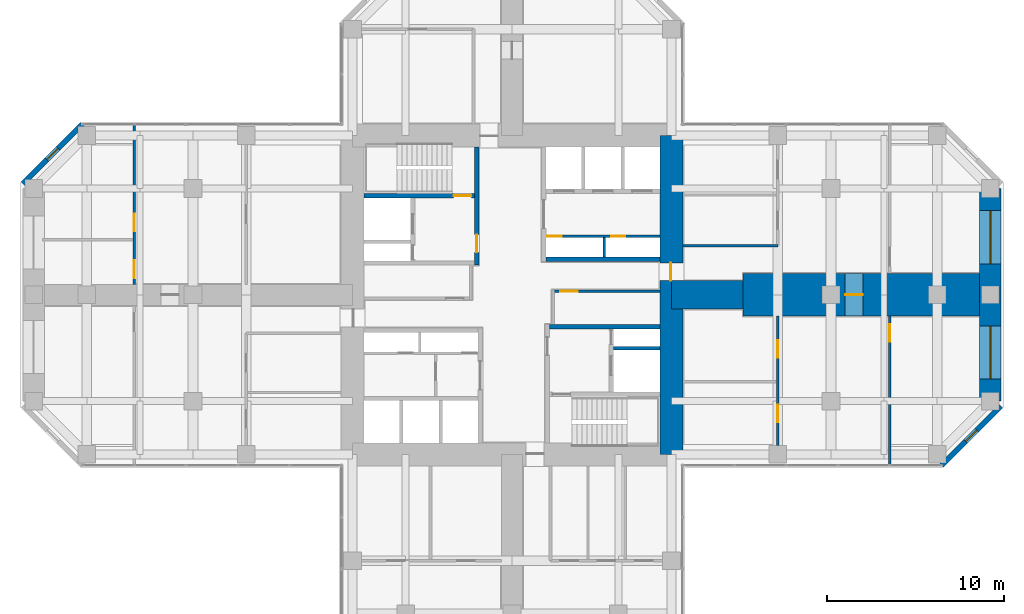
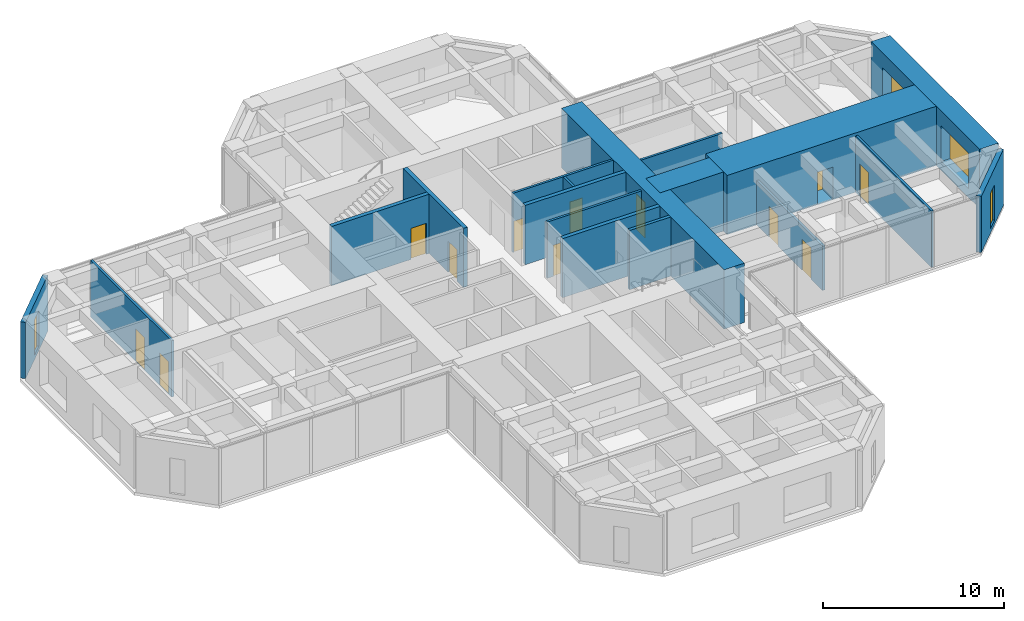
# One storey, part 10 of 13: 18 walls, 12 doors, 4 windows, 16 openings.
"""IFC4 building model written with IfcOpenShell, lengths in metres."""

from ifc_helpers import new_model, si_unit, direction, frame, frame_2d, origin, place, context, subcontext, project, spatial, rectangle, hollow_rectangle, extrude, material, layer, layer_set, constituent, constituent_set, type_object, element, fill, save


model = new_model("IFC4")

# Units and contexts
model_context = context("Model", 3, precision=1e-05, world=origin(), true_north=direction((0.0, 1.0)))
body_context = subcontext(model_context, "Body", "Model", "MODEL_VIEW")
ifc_project = project(units=[si_unit("LENGTHUNIT", "METRE"), si_unit("AREAUNIT", "SQUARE_METRE"), si_unit("VOLUMEUNIT", "CUBIC_METRE"), si_unit("PLANEANGLEUNIT", "RADIAN"), si_unit("MASSUNIT", "GRAM", prefix="KILO")], contexts=[model_context])

# Site, building, storey
site_placement = place(None, origin())
site = spatial("IfcSite", under=ifc_project, at=site_placement, CompositionType="ELEMENT")
building_placement = place(site_placement, origin())
building = spatial("IfcBuilding", under=site, at=building_placement, Name="Torre Cruceta", CompositionType="ELEMENT")
storey_placement = place(building_placement, frame((0.0, 0.0, 156.5)))
storey = spatial("IfcBuildingStorey", under=building, at=storey_placement, Name="L38", CompositionType="ELEMENT", Elevation=156.5)

# Wall
ifc_material_1 = material(Name="Concrete G60 (fck 60 MPa)", Category="concrete")
ifc_layer_1 = layer(ifc_material_1, 0.25)
ifc_layer_set_1 = layer_set([ifc_layer_1], Name="Concrete G60 (fck 60 MPa)")
wall_type_1 = type_object("IfcWallType", Name="CORE INNER WALL 250 G60", PredefinedType="SHEAR", material=ifc_layer_set_1)
wall_1_placement = place(storey_placement, frame((1.925048828125, 2.0, 0.0), z_axis=(0.0, 0.0, 1.0), x_axis=(1.0, 0.0, 0.0)))
element("IfcWall", 1, at=wall_1_placement, inside=storey, type_object=wall_type_1, Name="CW4 L38 NE-CV", PredefinedType="SHEAR", context=body_context, shape_type="SweptSolid", body=[
    extrude(rectangle(XDim=6.425048828125, YDim=0.25, at=frame_2d((3.21240234375, 0.0))), origin(), (0.0, 0.0, 1.0), 4.0),
])

# Wall, opening, door
wall_2_placement = place(storey_placement, frame((-2.0, 1.675048828125, 0.0), z_axis=(0.0, 0.0, 1.0), x_axis=(0.0, 1.0, 0.0)))
wall_2 = element("IfcWall", 2, at=wall_2_placement, inside=storey, type_object=wall_type_1, Name="CW4 L38 NW-CU", PredefinedType="SHEAR", context=body_context, shape_type="SweptSolid", body=[
    extrude(rectangle(XDim=6.675048828125, YDim=0.25, at=frame_2d((3.33740234375, 0.0))), origin(), (0.0, 0.0, 1.0), 4.0),
])
opening_1_placement = place(wall_2_placement, frame((0.72509765625, 0.0, 0.0)))
opening_1 = element("IfcOpeningElement", 3, at=opening_1_placement, cuts=wall_2, Name="Opening D3", PredefinedType="OPENING", context=body_context, shape_type="SweptSolid", body=[
    extrude(rectangle(XDim=1.0, YDim=2.10009765625, at=frame_2d((0.5, 1.050048828125))), frame((0.0, 0.135009765625, 0.0), z_axis=(0.0, -1.0, 0.0), x_axis=(1.0, 0.0, 0.0)), (0.0, 0.0, 1.0), 0.27001953125),
])
ifc_material_2 = material(Name="Steel DX51D", Category="steel")
ifc_constituent_1 = constituent(ifc_material_2, Name="Leaf and frame")
ifc_material_3 = material(Name="Polyester powder coating", Category="paint")
ifc_constituent_2 = constituent(ifc_material_3, Name="Finish")
ifc_constituent_set_1 = constituent_set(constituents=[ifc_constituent_1, ifc_constituent_2], Name="Steel fire door")
door_type_1 = type_object("IfcDoorType", Name="FIRE DOOR 1000X2100", OperationType="SINGLE_SWING_LEFT", PredefinedType="DOOR", material=ifc_constituent_set_1)
door_1_placement = place(opening_1_placement, origin())
door_1 = element("IfcDoor", 4, at=door_1_placement, inside=storey, type_object=door_type_1, Name="D3 L38 NW-LOBBY", OperationType="SINGLE_SWING_LEFT", OverallHeight=2.10009765625, OverallWidth=1.0, PredefinedType="DOOR", context=body_context, shape_type="SweptSolid", body=[
    extrude(rectangle(XDim=1.0, YDim=2.10009765625, at=frame_2d((0.5, 1.050048828125))), frame((0.0, 0.02490234375, 0.0), z_axis=(0.0, -1.0, 0.0), x_axis=(1.0, 0.0, 0.0)), (0.0, 0.0, 1.0), 0.050048828125),
])
fill(opening_1, door_1)

wall_3_placement = place(storey_placement, frame((-2.125, 5.60009765625, 0.0), z_axis=(0.0, 0.0, 1.0), x_axis=(-1.0, 0.0, 0.0)))
wall_3 = element("IfcWall", 5, at=wall_3_placement, inside=storey, type_object=wall_type_1, Name="CW4 L38 NW-SV", PredefinedType="SHEAR", context=body_context, shape_type="SweptSolid", body=[
    extrude(rectangle(XDim=6.22509765625, YDim=0.25, at=frame_2d((3.112548828125, 0.0))), origin(), (0.0, 0.0, 1.0), 4.0),
])
opening_2_placement = place(wall_3_placement, frame((0.175048828125, 0.0, 0.0)))
opening_2 = element("IfcOpeningElement", 6, at=opening_2_placement, cuts=wall_3, Name="Opening D3", PredefinedType="OPENING", context=body_context, shape_type="SweptSolid", body=[
    extrude(rectangle(XDim=1.0, YDim=2.10009765625, at=frame_2d((0.5, 1.050048828125))), frame((0.0, 0.135009765625, 0.0), z_axis=(0.0, -1.0, 0.0), x_axis=(1.0, 0.0, 0.0)), (0.0, 0.0, 1.0), 0.27001953125),
])
door_2_placement = place(opening_2_placement, frame((1.0, 0.0, 0.0), z_axis=(0.0, 0.0, 1.0), x_axis=(-1.0, 0.0, 0.0)))
door_2 = element("IfcDoor", 7, at=door_2_placement, inside=storey, type_object=door_type_1, Name="D3 L38 NW-STAIR", OperationType="SINGLE_SWING_RIGHT", OverallHeight=2.10009765625, OverallWidth=1.0, PredefinedType="DOOR", context=body_context, shape_type="SweptSolid", body=[
    extrude(rectangle(XDim=1.0, YDim=2.10009765625, at=frame_2d((0.5, 1.050048828125))), frame((0.0, 0.025146484375, 0.0), z_axis=(0.0, -1.0, 0.0), x_axis=(1.0, 0.0, 0.0)), (0.0, 0.0, 1.0), 0.050048828125),
])
fill(opening_2, door_2)

# Wall
wall_4_placement = place(storey_placement, frame((2.125, -1.800048828125, 0.0), z_axis=(0.0, 0.0, 1.0), x_axis=(1.0, 0.0, 0.0)))
element("IfcWall", 8, at=wall_4_placement, inside=storey, type_object=wall_type_1, Name="CW4 L38 SE-CV", PredefinedType="SHEAR", context=body_context, shape_type="SweptSolid", body=[
    extrude(rectangle(XDim=6.22509765625, YDim=0.25, at=frame_2d((3.112548828125, 0.0))), origin(), (0.0, 0.0, 1.0), 4.0),
])

# Wall, opening, door
ifc_material_4 = material(Name="Concrete G60 (fck 60 MPa)", Category="concrete")
ifc_layer_2 = layer(ifc_material_4, 1.300048828125)
ifc_layer_set_2 = layer_set([ifc_layer_2], Name="Concrete G60 (fck 60 MPa)")
wall_type_2 = type_object("IfcWallType", Name="CORE WALL 1300 G60", PredefinedType="SHEAR", material=ifc_layer_set_2)
wall_5_placement = place(storey_placement, frame((9.0, -9.0, 0.0), z_axis=(0.0, 0.0, 1.0), x_axis=(0.0, 1.0, 0.0)))
wall_5 = element("IfcWall", 9, at=wall_5_placement, inside=storey, type_object=wall_type_2, Name="CW1 L38 CW-E", PredefinedType="SHEAR", context=body_context, shape_type="SweptSolid", body=[
    extrude(rectangle(XDim=18.0, YDim=1.300048828125, at=frame_2d((9.0, 0.0))), origin(), (0.0, 0.0, 1.0), 4.0),
])
opening_3_placement = place(wall_5_placement, frame((9.800048828125, 0.0, 0.0)))
opening_3 = element("IfcOpeningElement", 10, at=opening_3_placement, cuts=wall_5, Name="Opening D4", PredefinedType="OPENING", context=body_context, shape_type="SweptSolid", body=[
    extrude(rectangle(XDim=1.0, YDim=2.39990234375, at=frame_2d((0.5, 1.199951171875))), frame((0.0, 0.659912109375, 0.0), z_axis=(0.0, -1.0, 0.0), x_axis=(1.0, 0.0, 0.0)), (0.0, 0.0, 1.0), 1.320068359375),
])
ifc_material_5 = material(Name="Steel DX51D", Category="steel")
ifc_constituent_3 = constituent(ifc_material_5, Name="Leaf and frame")
ifc_material_6 = material(Name="Polyester powder coating", Category="paint")
ifc_constituent_4 = constituent(ifc_material_6, Name="Finish")
ifc_constituent_set_2 = constituent_set(constituents=[ifc_constituent_3, ifc_constituent_4], Name="Steel fire door")
door_type_2 = type_object("IfcDoorType", Name="CORE ARM DOOR 1000X2400", OperationType="SINGLE_SWING_RIGHT", PredefinedType="DOOR", material=ifc_constituent_set_2)
door_3_placement = place(opening_3_placement, frame((1.0, 0.0, 0.0), z_axis=(0.0, 0.0, 1.0), x_axis=(-1.0, 0.0, 0.0)))
door_3 = element("IfcDoor", 11, at=door_3_placement, inside=storey, type_object=door_type_2, Name="D4 L38 CW-E", OperationType="SINGLE_SWING_RIGHT", OverallHeight=2.39990234375, OverallWidth=1.0, PredefinedType="DOOR", context=body_context, shape_type="SweptSolid", body=[
    extrude(rectangle(XDim=1.0, YDim=2.39990234375, at=frame_2d((0.5, 1.199951171875))), frame((0.0, -0.005126953125, 0.0), z_axis=(0.0, -1.0, 0.0), x_axis=(1.0, 0.0, 0.0)), (0.0, 0.0, 1.0), 0.050048828125),
])
fill(opening_3, door_3)

# Wall, opening, window
ifc_material_7 = material(Name="Concrete G30 (fck 30 MPa)", Category="concrete")
ifc_layer_3 = layer(ifc_material_7, 0.300048828125)
ifc_layer_set_3 = layer_set([ifc_layer_3], Name="Concrete G30 (fck 30 MPa)")
wall_type_3 = type_object("IfcWallType", Name="EXPOSED CONCRETE FACADE WALL 300", PredefinedType="SOLIDWALL", material=ifc_layer_set_3)
wall_6_placement = place(storey_placement, frame((24.2568359375, -9.6201171875, 0.0), z_axis=(0.0, 0.0, 1.0), x_axis=(0.707106781187, 0.707106781187, 0.0)))
wall_6 = element("IfcWall", 12, at=wall_6_placement, inside=storey, type_object=wall_type_3, Name="EW1 facade wall L38 E chamfer 01", PredefinedType="SOLIDWALL", context=body_context, shape_type="SweptSolid", body=[
    extrude(rectangle(XDim=4.72802734375, YDim=0.300048828125, at=frame_2d((2.364013671875, 0.0))), origin(), (0.0, 0.0, 1.0), 3.800048828125),
])
opening_4_placement = place(wall_6_placement, frame((1.9140625, 0.0, 0.300048828125)))
opening_4 = element("IfcOpeningElement", 13, at=opening_4_placement, cuts=wall_6, Name="Opening WN5", PredefinedType="OPENING", context=body_context, shape_type="SweptSolid", body=[
    extrude(rectangle(XDim=0.89990234375, YDim=2.39990234375, at=frame_2d((0.449951171875, 1.199951171875))), frame((0.0, 0.159912109375, 0.0), z_axis=(0.0, -1.0, 0.0), x_axis=(1.0, 0.0, 0.0)), (0.0, 0.0, 1.0), 0.320068359375),
])
ifc_material_8 = material(Name="Aluminium window frame", Category="aluminium")
ifc_constituent_5 = constituent(ifc_material_8, Name="Frame")
ifc_material_9 = material(Name="Laminated insulating glass unit, low-iron clear", Category="glass")
ifc_constituent_6 = constituent(ifc_material_9, Name="Glazing")
ifc_constituent_set_3 = constituent_set(constituents=[ifc_constituent_5, ifc_constituent_6], Name="Aluminium window")
window_type_1 = type_object("IfcWindowType", Name="CHAMFER SLOT WINDOW 900X2400", PartitioningType="SINGLE_PANEL", PredefinedType="WINDOW", material=ifc_constituent_set_3)
window_1_placement = place(opening_4_placement, origin())
window_1 = element("IfcWindow", 14, at=window_1_placement, inside=storey, type_object=window_type_1, Name="WN5 L38 E 1", OverallHeight=2.39990234375, OverallWidth=0.89990234375, PartitioningType="SINGLE_PANEL", PredefinedType="WINDOW", context=body_context, shape_type="SweptSolid", body=[
    extrude(hollow_rectangle(XDim=0.89990234375, YDim=2.39990234375, WallThickness=0.06005859375, at=frame_2d((0.449951171875, 1.199951171875))), frame((0.0, 0.030029296875, 0.0), z_axis=(0.0, -1.0, 0.0), x_axis=(1.0, 0.0, 0.0)), (0.0, 0.0, 1.0), 0.06005859375),
    extrude(rectangle(XDim=0.77880859375, YDim=2.27880859375, at=frame_2d((0.449951171875, 1.199951171875))), frame((0.0, 0.030029296875, 0.0), z_axis=(0.0, -1.0, 0.0), x_axis=(1.0, 0.0, 0.0)), (0.0, 0.0, 1.0), 0.06005859375),
])
fill(opening_4, window_1)

wall_7_placement = place(storey_placement, frame((-24.2568359375, 9.6201171875, 0.0), z_axis=(0.0, 0.0, 1.0), x_axis=(-0.707106781187, -0.707106781187, 0.0)))
wall_7 = element("IfcWall", 15, at=wall_7_placement, inside=storey, type_object=wall_type_3, Name="EW1 facade wall L38 W chamfer 11", PredefinedType="SOLIDWALL", context=body_context, shape_type="SweptSolid", body=[
    extrude(rectangle(XDim=4.72802734375, YDim=0.300048828125, at=frame_2d((2.364013671875, 0.0))), origin(), (0.0, 0.0, 1.0), 3.800048828125),
])
opening_5_placement = place(wall_7_placement, frame((1.9140625, 0.0, 0.300048828125)))
opening_5 = element("IfcOpeningElement", 16, at=opening_5_placement, cuts=wall_7, Name="Opening WN5", PredefinedType="OPENING", context=body_context, shape_type="SweptSolid", body=[
    extrude(rectangle(XDim=0.89990234375, YDim=2.39990234375, at=frame_2d((0.449951171875, 1.199951171875))), frame((0.0, 0.159912109375, 0.0), z_axis=(0.0, -1.0, 0.0), x_axis=(1.0, 0.0, 0.0)), (0.0, 0.0, 1.0), 0.320068359375),
])
window_2_placement = place(opening_5_placement, origin())
window_2 = element("IfcWindow", 17, at=window_2_placement, inside=storey, type_object=window_type_1, Name="WN5 L38 W 1", OverallHeight=2.39990234375, OverallWidth=0.89990234375, PartitioningType="SINGLE_PANEL", PredefinedType="WINDOW", context=body_context, shape_type="SweptSolid", body=[
    extrude(hollow_rectangle(XDim=0.89990234375, YDim=2.39990234375, WallThickness=0.06005859375, at=frame_2d((0.449951171875, 1.199951171875))), frame((0.0, 0.030029296875, 0.0), z_axis=(0.0, -1.0, 0.0), x_axis=(1.0, 0.0, 0.0)), (0.0, 0.0, 1.0), 0.06005859375),
    extrude(rectangle(XDim=0.77880859375, YDim=2.27880859375, at=frame_2d((0.449951171875, 1.199951171875))), frame((0.0, 0.030029296875, 0.0), z_axis=(0.0, -1.0, 0.0), x_axis=(1.0, 0.0, 0.0)), (0.0, 0.0, 1.0), 0.06005859375),
])
fill(opening_5, window_2)

# Wall
ifc_material_10 = material(Name="Concrete G35 (fck 35 MPa)", Category="concrete")
ifc_layer_4 = layer(ifc_material_10, 0.199951171875)
ifc_layer_set_4 = layer_set([ifc_layer_4], Name="Concrete G35 (fck 35 MPa)")
wall_type_4 = type_object("IfcWallType", Name="LIFT SHAFT WALL 200", PredefinedType="PARTITIONING", material=ifc_layer_set_4)
wall_8_placement = place(storey_placement, frame((5.72509765625, -3.0, 0.0), z_axis=(0.0, 0.0, 1.0), x_axis=(1.0, 0.0, 0.0)))
element("IfcWall", 18, at=wall_8_placement, inside=storey, type_object=wall_type_4, Name="SW1 L38 SE-FR", PredefinedType="PARTITIONING", context=body_context, shape_type="SweptSolid", body=[
    extrude(rectangle(XDim=2.625, YDim=0.199951171875, at=frame_2d((1.3125, 0.0))), origin(), (0.0, 0.0, 1.0), 4.0),
])

# Wall, openings, windows
ifc_material_11 = material(Name="Concrete G60 (fck 60 MPa)", Category="concrete")
ifc_layer_5 = layer(ifc_material_11, 1.199951171875)
ifc_layer_set_5 = layer_set([ifc_layer_5], Name="Concrete G60 (fck 60 MPa)")
wall_type_5 = type_object("IfcWallType", Name="NOSE WALL 1200 G60", PredefinedType="SHEAR", material=ifc_layer_set_5)
wall_9_placement = place(storey_placement, frame((27.0, -6.0, 0.0), z_axis=(0.0, 0.0, 1.0), x_axis=(0.0, 1.0, 0.0)))
wall_9 = element("IfcWall", 19, at=wall_9_placement, inside=storey, type_object=wall_type_5, Name="NW1 nose wall L38 E", PredefinedType="SHEAR", context=body_context, shape_type="SweptSolid", body=[
    extrude(rectangle(XDim=12.0, YDim=1.199951171875, at=frame_2d((6.0, 0.0))), origin(), (0.0, 0.0, 1.0), 4.0),
])
opening_6_placement = place(wall_9_placement, frame((1.25, 0.0, 0.60009765625)))
opening_6 = element("IfcOpeningElement", 20, at=opening_6_placement, cuts=wall_9, Name="Opening WN6", PredefinedType="OPENING", context=body_context, shape_type="SweptSolid", body=[
    extrude(rectangle(XDim=3.0, YDim=2.39990234375, at=frame_2d((1.5, 1.199951171875))), frame((0.0, 0.60986328125, 0.0), z_axis=(0.0, -1.0, 0.0), x_axis=(1.0, 0.0, 0.0)), (0.0, 0.0, 1.0), 1.219970703125),
])
opening_7_placement = place(wall_9_placement, frame((7.75, 0.0, 0.60009765625)))
opening_7 = element("IfcOpeningElement", 21, at=opening_7_placement, cuts=wall_9, Name="Opening WN6", PredefinedType="OPENING", context=body_context, shape_type="SweptSolid", body=[
    extrude(rectangle(XDim=3.0, YDim=2.39990234375, at=frame_2d((1.5, 1.199951171875))), frame((0.0, 0.60986328125, 0.0), z_axis=(0.0, -1.0, 0.0), x_axis=(1.0, 0.0, 0.0)), (0.0, 0.0, 1.0), 1.219970703125),
])
ifc_material_12 = material(Name="Aluminium window frame", Category="aluminium")
ifc_constituent_7 = constituent(ifc_material_12, Name="Frame")
ifc_material_13 = material(Name="Laminated insulating glass unit, low-iron clear", Category="glass")
ifc_constituent_8 = constituent(ifc_material_13, Name="Glazing")
ifc_constituent_set_4 = constituent_set(constituents=[ifc_constituent_7, ifc_constituent_8], Name="Aluminium window")
window_type_2 = type_object("IfcWindowType", Name="NOSE WALL WINDOW 3000X2400", PartitioningType="SINGLE_PANEL", PredefinedType="WINDOW", material=ifc_constituent_set_4)
window_3_placement = place(opening_6_placement, origin())
window_3 = element("IfcWindow", 22, at=window_3_placement, inside=storey, type_object=window_type_2, Name="WN6 L38 E 1", OverallHeight=2.39990234375, OverallWidth=3.0, PartitioningType="SINGLE_PANEL", PredefinedType="WINDOW", context=body_context, shape_type="SweptSolid", body=[
    extrude(hollow_rectangle(XDim=3.0, YDim=2.39990234375, WallThickness=0.06005859375, at=frame_2d((1.5, 1.199951171875))), frame((0.0, 0.030029296875, 0.0), z_axis=(0.0, -1.0, 0.0), x_axis=(1.0, 0.0, 0.0)), (0.0, 0.0, 1.0), 0.06005859375),
    extrude(rectangle(XDim=2.87890625, YDim=2.27880859375, at=frame_2d((1.5, 1.199951171875))), frame((0.0, 0.030029296875, 0.0), z_axis=(0.0, -1.0, 0.0), x_axis=(1.0, 0.0, 0.0)), (0.0, 0.0, 1.0), 0.06005859375),
])
fill(opening_6, window_3)
window_4_placement = place(opening_7_placement, origin())
window_4 = element("IfcWindow", 23, at=window_4_placement, inside=storey, type_object=window_type_2, Name="WN6 L38 E 2", OverallHeight=2.39990234375, OverallWidth=3.0, PartitioningType="SINGLE_PANEL", PredefinedType="WINDOW", context=body_context, shape_type="SweptSolid", body=[
    extrude(hollow_rectangle(XDim=3.0, YDim=2.39990234375, WallThickness=0.06005859375, at=frame_2d((1.5, 1.199951171875))), frame((0.0, 0.030029296875, 0.0), z_axis=(0.0, -1.0, 0.0), x_axis=(1.0, 0.0, 0.0)), (0.0, 0.0, 1.0), 0.06005859375),
    extrude(rectangle(XDim=2.87890625, YDim=2.27880859375, at=frame_2d((1.5, 1.199951171875))), frame((0.0, 0.030029296875, 0.0), z_axis=(0.0, -1.0, 0.0), x_axis=(1.0, 0.0, 0.0)), (0.0, 0.0, 1.0), 0.06005859375),
])
fill(opening_7, window_4)

# Wall, opening, door
ifc_material_14 = material(Name="Plasterboard on steel studs", Category="steel")
ifc_layer_6 = layer(ifc_material_14, 0.14990234375)
ifc_layer_set_6 = layer_set([ifc_layer_6], Name="Plasterboard on steel studs")
wall_type_6 = type_object("IfcWallType", Name="PARTITION 150", PredefinedType="PARTITIONING", material=ifc_layer_set_6)
wall_10_placement = place(storey_placement, frame((2.324951171875, 0.199951171875, 0.0), z_axis=(0.0, 0.0, 1.0), x_axis=(1.0, 0.0, 0.0)))
wall_10 = element("IfcWall", 24, at=wall_10_placement, inside=storey, type_object=wall_type_6, Name="PT1 L38-CORE-LEGE-S-W1", PredefinedType="PARTITIONING", context=body_context, shape_type="SweptSolid", body=[
    extrude(rectangle(XDim=6.025146484375, YDim=0.14990234375, at=frame_2d((3.0126953125, 0.0))), origin(), (0.0, 0.0, 1.0), 3.800048828125),
])
opening_8_placement = place(wall_10_placement, frame((0.39990234375, 0.0, 0.0)))
opening_8 = element("IfcOpeningElement", 25, at=opening_8_placement, cuts=wall_10, Name="Opening D3", PredefinedType="OPENING", context=body_context, shape_type="SweptSolid", body=[
    extrude(rectangle(XDim=1.0, YDim=2.10009765625, at=frame_2d((0.5, 1.050048828125))), frame((0.0, 0.0849609375, 0.0), z_axis=(0.0, -1.0, 0.0), x_axis=(1.0, 0.0, 0.0)), (0.0, 0.0, 1.0), 0.169921875),
])
door_4_placement = place(opening_8_placement, frame((1.0, 0.0, 0.0), z_axis=(0.0, 0.0, 1.0), x_axis=(-1.0, 0.0, 0.0)))
door_4 = element("IfcDoor", 26, at=door_4_placement, inside=storey, type_object=door_type_1, Name="D3 L38-CORE-LEGE-S-W1-D1", OperationType="SINGLE_SWING_RIGHT", OverallHeight=2.10009765625, OverallWidth=1.0, PredefinedType="DOOR", context=body_context, shape_type="SweptSolid", body=[
    extrude(rectangle(XDim=1.0, YDim=2.10009765625, at=frame_2d((0.5, 1.050048828125))), frame((0.0, 0.025146484375, 0.0), z_axis=(0.0, -1.0, 0.0), x_axis=(1.0, 0.0, 0.0)), (0.0, 0.0, 1.0), 0.050048828125),
])
fill(opening_8, door_4)

# Wall
wall_11_placement = place(storey_placement, frame((9.64990234375, 2.77490234375, 0.0), z_axis=(0.0, 0.0, 1.0), x_axis=(1.0, 0.0, 0.0)))
element("IfcWall", 27, at=wall_11_placement, inside=storey, type_object=wall_type_6, Name="PT1 L38-E-BSL", PredefinedType="PARTITIONING", context=body_context, shape_type="SweptSolid", body=[
    extrude(rectangle(XDim=5.35009765625, YDim=0.14990234375, at=frame_2d((2.675048828125, 0.0))), origin(), (0.0, 0.0, 1.0), 3.800048828125),
])

# Wall, openings, doors
wall_12_placement = place(storey_placement, frame((15.0, -8.5, 0.0), z_axis=(0.0, 0.0, 1.0), x_axis=(0.0, 1.0, 0.0)))
wall_12 = element("IfcWall", 28, at=wall_12_placement, inside=storey, type_object=wall_type_6, Name="PT1 L38-E-BFR", PredefinedType="PARTITIONING", context=body_context, shape_type="SweptSolid", body=[
    extrude(rectangle(XDim=7.300048828125, YDim=0.14990234375, at=frame_2d((3.64990234375, 0.0))), origin(), (0.0, 0.0, 1.0), 3.0),
])
opening_9_placement = place(wall_12_placement, frame((1.300048828125, 0.0, 0.0)))
opening_9 = element("IfcOpeningElement", 29, at=opening_9_placement, cuts=wall_12, Name="Opening D3", PredefinedType="OPENING", context=body_context, shape_type="SweptSolid", body=[
    extrude(rectangle(XDim=1.0, YDim=2.10009765625, at=frame_2d((0.5, 1.050048828125))), frame((0.0, 0.0849609375, 0.0), z_axis=(0.0, -1.0, 0.0), x_axis=(1.0, 0.0, 0.0)), (0.0, 0.0, 1.0), 0.169921875),
])
opening_10_placement = place(wall_12_placement, frame((4.949951171875, 0.0, 0.0)))
opening_10 = element("IfcOpeningElement", 30, at=opening_10_placement, cuts=wall_12, Name="Opening D3", PredefinedType="OPENING", context=body_context, shape_type="SweptSolid", body=[
    extrude(rectangle(XDim=1.0, YDim=2.10009765625, at=frame_2d((0.5, 1.050048828125))), frame((0.0, 0.0849609375, 0.0), z_axis=(0.0, -1.0, 0.0), x_axis=(1.0, 0.0, 0.0)), (0.0, 0.0, 1.0), 0.169921875),
])
door_5_placement = place(opening_9_placement, origin())
door_5 = element("IfcDoor", 31, at=door_5_placement, inside=storey, type_object=door_type_1, Name="D3 L38-E-BFR-D1", OperationType="SINGLE_SWING_RIGHT", OverallHeight=2.10009765625, OverallWidth=1.0, PredefinedType="DOOR", context=body_context, shape_type="SweptSolid", body=[
    extrude(rectangle(XDim=1.0, YDim=2.10009765625, at=frame_2d((0.5, 1.050048828125))), frame((0.0, 0.02490234375, 0.0), z_axis=(0.0, -1.0, 0.0), x_axis=(1.0, 0.0, 0.0)), (0.0, 0.0, 1.0), 0.050048828125),
])
fill(opening_9, door_5)
door_6_placement = place(opening_10_placement, origin())
door_6 = element("IfcDoor", 32, at=door_6_placement, inside=storey, type_object=door_type_1, Name="D3 L38-E-BFR-D2", OperationType="SINGLE_SWING_LEFT", OverallHeight=2.10009765625, OverallWidth=1.0, PredefinedType="DOOR", context=body_context, shape_type="SweptSolid", body=[
    extrude(rectangle(XDim=1.0, YDim=2.10009765625, at=frame_2d((0.5, 1.050048828125))), frame((0.0, 0.02490234375, 0.0), z_axis=(0.0, -1.0, 0.0), x_axis=(1.0, 0.0, 0.0)), (0.0, 0.0, 1.0), 0.050048828125),
])
fill(opening_10, door_6)

# Wall, opening, door
wall_13_placement = place(storey_placement, frame((21.320068359375, -9.580078125, 0.0), z_axis=(0.0, 0.0, 1.0), x_axis=(0.0, 1.0, 0.0)))
wall_13 = element("IfcWall", 33, at=wall_13_placement, inside=storey, type_object=wall_type_6, Name="PT1 L38-E-TWR", PredefinedType="PARTITIONING", context=body_context, shape_type="SweptSolid", body=[
    extrude(rectangle(XDim=8.380126953125, YDim=0.14990234375, at=frame_2d((4.18994140625, 0.0))), origin(), (0.0, 0.0, 1.0), 3.800048828125),
])
opening_11_placement = place(wall_13_placement, frame((6.929931640625, 0.0, 0.0)))
opening_11 = element("IfcOpeningElement", 34, at=opening_11_placement, cuts=wall_13, Name="Opening D14", PredefinedType="OPENING", context=body_context, shape_type="SweptSolid", body=[
    extrude(rectangle(XDim=1.0, YDim=2.199951171875, at=frame_2d((0.5, 1.10009765625))), frame((0.0, 0.0849609375, 0.0), z_axis=(0.0, -1.0, 0.0), x_axis=(1.0, 0.0, 0.0)), (0.0, 0.0, 1.0), 0.169921875),
])
ifc_material_15 = material(Name="Steel DX51D", Category="steel")
ifc_constituent_9 = constituent(ifc_material_15, Name="Leaf and frame")
ifc_material_16 = material(Name="Polyester powder coating", Category="paint")
ifc_constituent_10 = constituent(ifc_material_16, Name="Finish")
ifc_material_17 = material(Name="Fire-resisting glass", Category="glass")
ifc_constituent_11 = constituent(ifc_material_17, Name="Vision panel")
ifc_constituent_set_5 = constituent_set(constituents=[ifc_constituent_9, ifc_constituent_10, ifc_constituent_11], Name="Steel fire door with vision panel")
door_type_3 = type_object("IfcDoorType", Name="FIRE DOOR VISION PANEL 1000X2200", OperationType="SINGLE_SWING_RIGHT", PredefinedType="DOOR", material=ifc_constituent_set_5)
door_7_placement = place(opening_11_placement, frame((1.0, 0.0, 0.0), z_axis=(0.0, 0.0, 1.0), x_axis=(-1.0, 0.0, 0.0)))
door_7 = element("IfcDoor", 35, at=door_7_placement, inside=storey, type_object=door_type_3, Name="D14 L38-E-TWR-D1", OperationType="SINGLE_SWING_LEFT", OverallHeight=2.199951171875, OverallWidth=1.0, PredefinedType="DOOR", context=body_context, shape_type="SweptSolid", body=[
    extrude(rectangle(XDim=1.0, YDim=2.199951171875, at=frame_2d((0.5, 1.10009765625))), frame((0.0, 0.025146484375, 0.0), z_axis=(0.0, -1.0, 0.0), x_axis=(1.0, 0.0, 0.0)), (0.0, 0.0, 1.0), 0.050048828125),
])
fill(opening_11, door_7)

# Wall, openings, doors
wall_14_placement = place(storey_placement, frame((-21.320068359375, 9.580078125, 0.0), z_axis=(0.0, 0.0, 1.0), x_axis=(0.0, -1.0, 0.0)))
wall_14 = element("IfcWall", 36, at=wall_14_placement, inside=storey, type_object=wall_type_6, Name="PT1 L38-W-TWR", PredefinedType="PARTITIONING", context=body_context, shape_type="SweptSolid", body=[
    extrude(rectangle(XDim=8.97998046875, YDim=0.14990234375, at=frame_2d((4.489990234375, 0.0))), origin(), (0.0, 0.0, 1.0), 3.800048828125),
])
opening_12_placement = place(wall_14_placement, frame((4.987060546875, 0.0, 0.0)))
opening_12 = element("IfcOpeningElement", 37, at=opening_12_placement, cuts=wall_14, Name="Opening D14", PredefinedType="OPENING", context=body_context, shape_type="SweptSolid", body=[
    extrude(rectangle(XDim=1.0, YDim=2.199951171875, at=frame_2d((0.5, 1.10009765625))), frame((0.0, 0.0849609375, 0.0), z_axis=(0.0, -1.0, 0.0), x_axis=(1.0, 0.0, 0.0)), (0.0, 0.0, 1.0), 0.169921875),
])
opening_13_placement = place(wall_14_placement, frame((7.6298828125, 0.0, 0.0)))
opening_13 = element("IfcOpeningElement", 38, at=opening_13_placement, cuts=wall_14, Name="Opening D14", PredefinedType="OPENING", context=body_context, shape_type="SweptSolid", body=[
    extrude(rectangle(XDim=1.0, YDim=2.199951171875, at=frame_2d((0.5, 1.10009765625))), frame((0.0, 0.0849609375, 0.0), z_axis=(0.0, -1.0, 0.0), x_axis=(1.0, 0.0, 0.0)), (0.0, 0.0, 1.0), 0.169921875),
])
door_8_placement = place(opening_12_placement, frame((1.0, 0.0, 0.0), z_axis=(0.0, 0.0, 1.0), x_axis=(-1.0, 0.0, 0.0)))
door_8 = element("IfcDoor", 39, at=door_8_placement, inside=storey, type_object=door_type_3, Name="D14 L38-W-TWR-D1", OperationType="SINGLE_SWING_LEFT", OverallHeight=2.199951171875, OverallWidth=1.0, PredefinedType="DOOR", context=body_context, shape_type="SweptSolid", body=[
    extrude(rectangle(XDim=1.0, YDim=2.199951171875, at=frame_2d((0.5, 1.10009765625))), frame((0.0, 0.025146484375, 0.0), z_axis=(0.0, -1.0, 0.0), x_axis=(1.0, 0.0, 0.0)), (0.0, 0.0, 1.0), 0.050048828125),
])
fill(opening_12, door_8)
door_9_placement = place(opening_13_placement, frame((1.0, 0.0, 0.0), z_axis=(0.0, 0.0, 1.0), x_axis=(-1.0, 0.0, 0.0)))
door_9 = element("IfcDoor", 40, at=door_9_placement, inside=storey, type_object=door_type_3, Name="D14 L38-W-TWR-D2", OperationType="SINGLE_SWING_LEFT", OverallHeight=2.199951171875, OverallWidth=1.0, PredefinedType="DOOR", context=body_context, shape_type="SweptSolid", body=[
    extrude(rectangle(XDim=1.0, YDim=2.199951171875, at=frame_2d((0.5, 1.10009765625))), frame((0.0, 0.025146484375, 0.0), z_axis=(0.0, -1.0, 0.0), x_axis=(1.0, 0.0, 0.0)), (0.0, 0.0, 1.0), 0.050048828125),
])
fill(opening_13, door_9)

ifc_material_18 = material(Name="Concrete block masonry", Category="masonry")
ifc_layer_7 = layer(ifc_material_18, 0.14990234375)
ifc_layer_set_7 = layer_set([ifc_layer_7], Name="Concrete block masonry")
wall_type_7 = type_object("IfcWallType", Name="RISER WALL 150", PredefinedType="PARTITIONING", material=ifc_layer_set_7)
wall_15_placement = place(storey_placement, frame((1.925048828125, 3.300048828125, 0.0), z_axis=(0.0, 0.0, 1.0), x_axis=(1.0, 0.0, 0.0)))
wall_15 = element("IfcWall", 41, at=wall_15_placement, inside=storey, type_object=wall_type_7, Name="SW7 L38 NE-RV", PredefinedType="PARTITIONING", context=body_context, shape_type="SweptSolid", body=[
    extrude(rectangle(XDim=6.425048828125, YDim=0.14990234375, at=frame_2d((3.21240234375, 0.0))), origin(), (0.0, 0.0, 1.0), 4.0),
])
opening_14_placement = place(wall_15_placement, frame((0.074951171875, 0.0, 0.0)))
opening_14 = element("IfcOpeningElement", 42, at=opening_14_placement, cuts=wall_15, Name="Opening D5", PredefinedType="OPENING", context=body_context, shape_type="SweptSolid", body=[
    extrude(rectangle(XDim=0.800048828125, YDim=2.10009765625, at=frame_2d((0.39990234375, 1.050048828125))), frame((0.0, 0.0849609375, 0.0), z_axis=(0.0, -1.0, 0.0), x_axis=(1.0, 0.0, 0.0)), (0.0, 0.0, 1.0), 0.169921875),
])
opening_15_placement = place(wall_15_placement, frame((3.675048828125, 0.0, 0.0)))
opening_15 = element("IfcOpeningElement", 43, at=opening_15_placement, cuts=wall_15, Name="Opening D5", PredefinedType="OPENING", context=body_context, shape_type="SweptSolid", body=[
    extrude(rectangle(XDim=0.800048828125, YDim=2.10009765625, at=frame_2d((0.39990234375, 1.050048828125))), frame((0.0, 0.0849609375, 0.0), z_axis=(0.0, -1.0, 0.0), x_axis=(1.0, 0.0, 0.0)), (0.0, 0.0, 1.0), 0.169921875),
])
ifc_material_19 = material(Name="Steel DX51D", Category="steel")
ifc_constituent_12 = constituent(ifc_material_19, Name="Leaf and frame")
ifc_material_20 = material(Name="Polyester powder coating", Category="paint")
ifc_constituent_13 = constituent(ifc_material_20, Name="Finish")
ifc_constituent_set_6 = constituent_set(constituents=[ifc_constituent_12, ifc_constituent_13], Name="Steel fire door")
door_type_4 = type_object("IfcDoorType", Name="RISER ACCESS DOOR 800X2100", OperationType="SINGLE_SWING_LEFT", PredefinedType="DOOR", material=ifc_constituent_set_6)
door_10_placement = place(opening_14_placement, frame((0.800048828125, 0.0, 0.0), z_axis=(0.0, 0.0, 1.0), x_axis=(-1.0, 0.0, 0.0)))
door_10 = element("IfcDoor", 44, at=door_10_placement, inside=storey, type_object=door_type_4, Name="D5 L38 NE-RISER1", OperationType="SINGLE_SWING_RIGHT", OverallHeight=2.10009765625, OverallWidth=0.800048828125, PredefinedType="DOOR", context=body_context, shape_type="SweptSolid", body=[
    extrude(rectangle(XDim=0.800048828125, YDim=2.10009765625, at=frame_2d((0.400146484375, 1.050048828125))), frame((0.0, 0.025146484375, 0.0), z_axis=(0.0, -1.0, 0.0), x_axis=(1.0, 0.0, 0.0)), (0.0, 0.0, 1.0), 0.050048828125),
])
fill(opening_14, door_10)
door_11_placement = place(opening_15_placement, frame((0.800048828125, 0.0, 0.0), z_axis=(0.0, 0.0, 1.0), x_axis=(-1.0, 0.0, 0.0)))
door_11 = element("IfcDoor", 45, at=door_11_placement, inside=storey, type_object=door_type_4, Name="D5 L38 NE-RISER2", OperationType="SINGLE_SWING_RIGHT", OverallHeight=2.10009765625, OverallWidth=0.800048828125, PredefinedType="DOOR", context=body_context, shape_type="SweptSolid", body=[
    extrude(rectangle(XDim=0.800048828125, YDim=2.10009765625, at=frame_2d((0.400146484375, 1.050048828125))), frame((0.0, 0.025146484375, 0.0), z_axis=(0.0, -1.0, 0.0), x_axis=(1.0, 0.0, 0.0)), (0.0, 0.0, 1.0), 0.050048828125),
])
fill(opening_15, door_11)

# Walls
wall_16_placement = place(storey_placement, frame((5.199951171875, 2.125, 0.0), z_axis=(0.0, 0.0, 1.0), x_axis=(0.0, 1.0, 0.0)))
element("IfcWall", 46, at=wall_16_placement, inside=storey, type_object=wall_type_7, Name="SW7 L38 NE-RU", PredefinedType="PARTITIONING", context=body_context, shape_type="SweptSolid", body=[
    extrude(rectangle(XDim=1.10009765625, YDim=0.14990234375, at=frame_2d((0.550048828125, 0.0))), origin(), (0.0, 0.0, 1.0), 4.0),
])
ifc_material_21 = material(Name="Concrete G60 (fck 60 MPa)", Category="concrete")
ifc_layer_8 = layer(ifc_material_21, 1.60009765625)
ifc_layer_set_8 = layer_set([ifc_layer_8], Name="Concrete G60 (fck 60 MPa)")
wall_type_8 = type_object("IfcWallType", Name="SPINE WALL 1600 G60", PredefinedType="SHEAR", material=ifc_layer_set_8)
wall_17_placement = place(storey_placement, frame((9.0, 0.0, 0.0), z_axis=(0.0, 0.0, 1.0), x_axis=(1.0, 0.0, 0.0)))
element("IfcWall", 47, at=wall_17_placement, inside=storey, type_object=wall_type_8, Name="SW2 spine wall root L38 E", PredefinedType="SHEAR", context=body_context, shape_type="SweptSolid", body=[
    extrude(rectangle(XDim=4.050048828125, YDim=1.60009765625, at=frame_2d((2.02490234375, 0.0))), origin(), (0.0, 0.0, 1.0), 4.0),
])

# Wall, opening, door
ifc_material_22 = material(Name="Concrete G60 (fck 60 MPa)", Category="concrete")
ifc_layer_9 = layer(ifc_material_22, 2.39990234375)
ifc_layer_set_9 = layer_set([ifc_layer_9], Name="Concrete G60 (fck 60 MPa)")
wall_type_9 = type_object("IfcWallType", Name="SPINE WALL 2400 G60", PredefinedType="SHEAR", material=ifc_layer_set_9)
wall_18_placement = place(storey_placement, frame((13.050048828125, 0.0, 0.0), z_axis=(0.0, 0.0, 1.0), x_axis=(1.0, 0.0, 0.0)))
wall_18 = element("IfcWall", 48, at=wall_18_placement, inside=storey, type_object=wall_type_9, Name="SW0 spine wall L38 E", PredefinedType="SHEAR", context=body_context, shape_type="SweptSolid", body=[
    extrude(rectangle(XDim=13.949951171875, YDim=2.39990234375, at=frame_2d((6.97509765625, 0.0))), origin(), (0.0, 0.0, 1.0), 4.0),
])
opening_16_placement = place(wall_18_placement, frame((5.75, 0.0, 0.0)))
opening_16 = element("IfcOpeningElement", 49, at=opening_16_placement, cuts=wall_18, Name="Opening D14", PredefinedType="OPENING", context=body_context, shape_type="SweptSolid", body=[
    extrude(rectangle(XDim=1.0, YDim=2.199951171875, at=frame_2d((0.5, 1.10009765625))), frame((0.0, 1.2099609375, 0.0), z_axis=(0.0, -1.0, 0.0), x_axis=(1.0, 0.0, 0.0)), (0.0, 0.0, 1.0), 2.419921875),
])
door_12_placement = place(opening_16_placement, frame((1.0, 0.0, 0.0), z_axis=(0.0, 0.0, 1.0), x_axis=(-1.0, 0.0, 0.0)))
door_12 = element("IfcDoor", 50, at=door_12_placement, inside=storey, type_object=door_type_3, Name="D14 L38-E-SP1", OperationType="SINGLE_SWING_LEFT", OverallHeight=2.199951171875, OverallWidth=1.0, PredefinedType="DOOR", context=body_context, shape_type="SweptSolid", body=[
    extrude(rectangle(XDim=1.0, YDim=2.199951171875, at=frame_2d((0.5, 1.10009765625))), frame((0.0, 0.025146484375, 0.0), z_axis=(0.0, -1.0, 0.0), x_axis=(1.0, 0.0, 0.0)), (0.0, 0.0, 1.0), 0.050048828125),
])
fill(opening_16, door_12)

save(model, "model.ifc")
